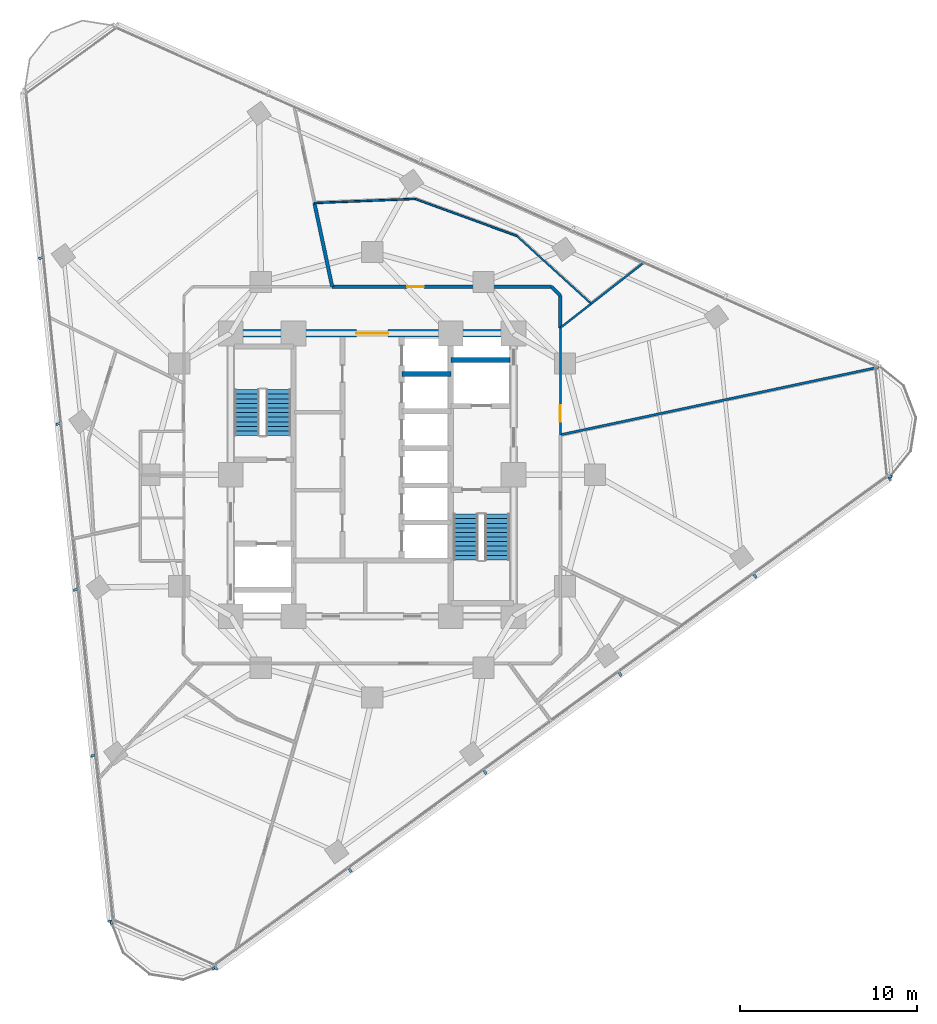
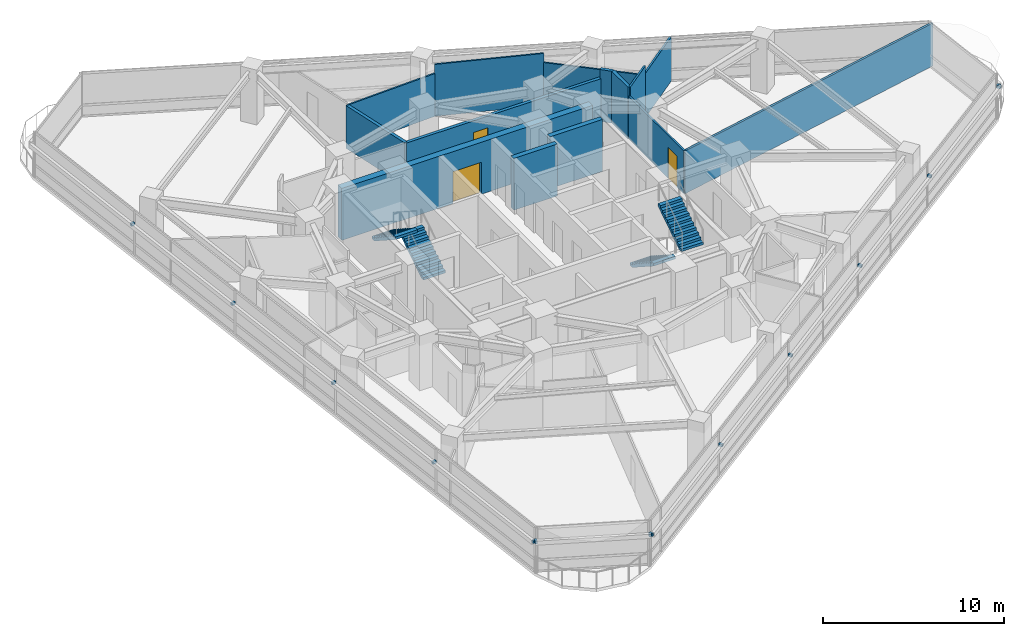
# One storey, part 10 of 14: 14 discrete accessories, 14 walls, 4 stair flights, 3 doors, 3 openings, 2 elements without a shape of their own.
"""IFC4 building model written with IfcOpenShell, lengths in metres."""

from ifc_helpers import new_model, si_unit, direction, frame, frame_2d, origin, origin_2d, place, context, subcontext, project, spatial, polyline, rectangle, outline, extrude, material, layer, layer_set, type_object, element, fill, aggregate, save


model = new_model("IFC4")

# Units and contexts
model_context = context("Model", 3, precision=1e-05, world=origin(), true_north=direction((0.0, 1.0)))
body_context = subcontext(model_context, "Body", "Model", "MODEL_VIEW")
ifc_project = project(units=[si_unit("LENGTHUNIT", "METRE"), si_unit("AREAUNIT", "SQUARE_METRE"), si_unit("VOLUMEUNIT", "CUBIC_METRE"), si_unit("PLANEANGLEUNIT", "RADIAN"), si_unit("MASSUNIT", "GRAM", prefix="KILO")], contexts=[model_context])

# Site, building, storey
site_placement = place(None, origin())
site = spatial("IfcSite", under=ifc_project, at=site_placement, CompositionType="ELEMENT")
building_placement = place(site_placement, origin())
building = spatial("IfcBuilding", under=site, at=building_placement, Name="Terralouvre Media Tower", CompositionType="ELEMENT")
storey_placement = place(building_placement, frame((0.0, 0.0, 165.699951171875)))
storey = spatial("IfcBuildingStorey", under=building, at=storey_placement, Name="L42", CompositionType="ELEMENT", Elevation=165.699951171875)

# Walls
ifc_material_1 = material(Name="Concrete C50/60", Category="concrete")
ifc_layer_1 = layer(ifc_material_1, 0.300048828125, Name="Core Internal Shaft Wall CW-300")
ifc_layer_set_1 = layer_set([ifc_layer_1], Name="Concrete C50/60")
wall_type_1 = type_object("IfcWallType", Name="Core Internal Shaft Wall CW-300", PredefinedType="SHEAR", material=ifc_layer_set_1)
wall_1_placement = place(storey_placement, frame((4.449951171875, 6.5, 0.0), z_axis=(0.0, 0.0, 1.0), x_axis=(1.0, 0.0, 0.0)))
element("IfcWall", 1, at=wall_1_placement, inside=storey, type_object=wall_type_1, Name="L42 Core Shaft Wall FF2N", PredefinedType="SHEAR", context=body_context, shape_type="SweptSolid", body=[
    extrude(rectangle(XDim=3.340087890625, YDim=0.300048828125, at=frame_2d((1.669921875, 0.0))), origin(), (0.0, 0.0, 1.0), 3.5),
])
wall_2_placement = place(storey_placement, frame((1.679931640625, 5.699951171875, 0.0), z_axis=(0.0, 0.0, 1.0), x_axis=(1.0, 0.0, 0.0)))
element("IfcWall", 2, at=wall_2_placement, inside=storey, type_object=wall_type_1, Name="L42 Core Shaft Wall PLMD2", PredefinedType="SHEAR", context=body_context, shape_type="SweptSolid", body=[
    extrude(rectangle(XDim=2.77001953125, YDim=0.300048828125, at=frame_2d((1.385009765625, 0.0))), origin(), (0.0, 0.0, 1.0), 3.5),
])

# Wall, opening, door
ifc_material_2 = material(Name="Concrete C60/75", Category="concrete")
ifc_layer_2 = layer(ifc_material_2, 0.419921875, Name="Core Reinforced Concrete Shear Wall CW-420")
ifc_layer_set_2 = layer_set([ifc_layer_2], Name="Concrete C60/75")
wall_type_2 = type_object("IfcWallType", Name="Core Reinforced Concrete Shear Wall CW-420", PredefinedType="SHEAR", material=ifc_layer_set_2)
wall_3_placement = place(storey_placement, frame((-8.0, 8.0, 0.0), z_axis=(0.0, 0.0, 1.0), x_axis=(1.0, 0.0, 0.0)))
wall_3 = element("IfcWall", 3, at=wall_3_placement, inside=storey, type_object=wall_type_2, Name="L42 N Core Shear Wall", PredefinedType="SHEAR", context=body_context, shape_type="SweptSolid", body=[
    extrude(rectangle(XDim=16.0, YDim=0.419921875, at=frame_2d((8.0, 0.0))), origin(), (0.0, 0.0, 1.0), 3.5),
])
opening_1_placement = place(wall_3_placement, frame((7.10009765625, 0.0, 0.0)))
opening_1 = element("IfcOpeningElement", 4, at=opening_1_placement, cuts=wall_3, Name="Opening FD-03", PredefinedType="OPENING", context=body_context, shape_type="SweptSolid", body=[
    extrude(rectangle(XDim=1.800048828125, YDim=2.14990234375, at=frame_2d((0.89990234375, 1.074951171875))), frame((0.0, 0.219970703125, 0.0), z_axis=(0.0, -1.0, 0.0), x_axis=(1.0, 0.0, 0.0)), (0.0, 0.0, 1.0), 0.43994140625),
])
ifc_material_3 = material(Name="Galvanised steel fire-resisting leaf", Category="steel")
door_type_1 = type_object("IfcDoorType", Name="Corridor Smoke-Control Double Door FD-03", OperationType="DOUBLE_DOOR_SINGLE_SWING", PredefinedType="DOOR", material=ifc_material_3)
door_1_placement = place(opening_1_placement, origin())
door_1 = element("IfcDoor", 5, at=door_1_placement, inside=storey, type_object=door_type_1, Name="L42 Central Lift Lobby Portal Door", OperationType="DOUBLE_DOOR_SINGLE_SWING", OverallHeight=2.14990234375, OverallWidth=1.800048828125, PredefinedType="DOOR", context=body_context, shape_type="SweptSolid", body=[
    extrude(rectangle(XDim=1.800048828125, YDim=2.14990234375, at=frame_2d((0.89990234375, 1.074951171875))), frame((0.0, 0.02490234375, 0.0), z_axis=(0.0, -1.0, 0.0), x_axis=(1.0, 0.0, 0.0)), (0.0, 0.0, 1.0), 0.050048828125),
])
fill(opening_1, door_1)

# Walls
ifc_material_4 = material(Name="Low-iron laminated double glazing with solar-control coating", Category="glass")
ifc_layer_3 = layer(ifc_material_4, 0.10009765625, Name="Demountable Glazed Office Partition PT-GL100")
ifc_layer_set_3 = layer_set([ifc_layer_3], Name="Low-iron laminated double glazing with solar-control coating")
wall_type_3 = type_object("IfcWallType", Name="Demountable Glazed Office Partition PT-GL100", PredefinedType="MOVABLE", material=ifc_layer_set_3)
wall_4_placement = place(storey_placement, frame((-3.26904296875, 15.381103515625, 0.0), z_axis=(0.0, 0.0, 1.0), x_axis=(0.999171753478, 0.040691609114, 0.0)))
element("IfcWall", 6, at=wall_4_placement, inside=storey, type_object=wall_type_3, Name="L42 Interior Partition 044", PredefinedType="MOVABLE", context=body_context, shape_type="SweptSolid", body=[
    extrude(rectangle(XDim=5.69970703125, YDim=0.10009765625, at=frame_2d((2.849853515625, 0.0))), origin(), (0.0, 0.0, 1.0), 2.885009765625),
])
wall_5_placement = place(storey_placement, frame((2.426025390625, 15.613037109375, 0.0), z_axis=(0.0, 0.0, 1.0), x_axis=(0.939701375228, -0.341996089736, 0.0)))
element("IfcWall", 7, at=wall_5_placement, inside=storey, type_object=wall_type_3, Name="L42 Interior Partition 045", PredefinedType="MOVABLE", context=body_context, shape_type="SweptSolid", body=[
    extrude(rectangle(XDim=6.1201171875, YDim=0.10009765625, at=frame_2d((3.06005859375, 0.0))), origin(), (0.0, 0.0, 1.0), 3.5),
])
wall_6_placement = place(storey_placement, frame((8.177001953125, 13.52001953125, 0.0), z_axis=(0.0, 0.0, 1.0), x_axis=(0.739232344885, -0.673450473514, 0.0)))
element("IfcWall", 8, at=wall_6_placement, inside=storey, type_object=wall_type_3, Name="L42 Interior Partition 046", PredefinedType="MOVABLE", context=body_context, shape_type="SweptSolid", body=[
    extrude(rectangle(XDim=5.70068359375, YDim=0.10009765625, at=frame_2d((2.850341796875, 0.0))), origin(), (0.0, 0.0, 1.0), 2.885009765625),
])
ifc_material_5 = material(Name="Fire-rated gypsum board drywall partition")
ifc_layer_4 = layer(ifc_material_5, 0.199951171875, Name="Fire-Rated Shaft and Lobby Partition FW-200")
ifc_layer_set_4 = layer_set([ifc_layer_4], Name="Fire-rated gypsum board drywall partition")
wall_type_4 = type_object("IfcWallType", Name="Fire-Rated Shaft and Lobby Partition FW-200", PredefinedType="SOLIDWALL", material=ifc_layer_set_4)
wall_7_placement = place(storey_placement, frame((10.64990234375, 8.321044921875, 0.0), z_axis=(0.0, 0.0, 1.0), x_axis=(0.0, 1.0, 0.0)))
element("IfcWall", 9, at=wall_7_placement, inside=storey, type_object=wall_type_4, Name="L42 Interior Partition 013", PredefinedType="SOLIDWALL", context=body_context, shape_type="SweptSolid", body=[
    extrude(rectangle(XDim=1.828857421875, YDim=0.199951171875, at=frame_2d((0.91455078125, 0.0))), origin(), (0.0, 0.0, 1.0), 3.5),
])
wall_8_placement = place(storey_placement, frame((10.64990234375, 10.14990234375, 0.0), z_axis=(0.0, 0.0, 1.0), x_axis=(-0.707106781187, 0.707106781187, 0.0)))
element("IfcWall", 10, at=wall_8_placement, inside=storey, type_object=wall_type_4, Name="L42 Interior Partition 014", PredefinedType="SOLIDWALL", context=body_context, shape_type="SweptSolid", body=[
    extrude(rectangle(XDim=0.70703125, YDim=0.199951171875, at=frame_2d((0.353515625, 0.0))), origin(), (0.0, 0.0, 1.0), 3.5),
])

# Wall, opening, door
wall_9_placement = place(storey_placement, frame((10.14990234375, 10.64990234375, 0.0), z_axis=(0.0, 0.0, 1.0), x_axis=(-1.0, 0.0, 0.0)))
wall_9 = element("IfcWall", 11, at=wall_9_placement, inside=storey, type_object=wall_type_4, Name="L42 Interior Partition 015", PredefinedType="SOLIDWALL", context=body_context, shape_type="SweptSolid", body=[
    extrude(rectangle(XDim=12.413818359375, YDim=0.199951171875, at=frame_2d((6.20703125, 0.0))), origin(), (0.0, 0.0, 1.0), 2.885009765625),
])
opening_2_placement = place(wall_9_placement, frame((7.2216796875, 0.0, 0.0)))
opening_2 = element("IfcOpeningElement", 12, at=opening_2_placement, cuts=wall_9, Name="Opening FD-02-95X210", PredefinedType="OPENING", context=body_context, shape_type="SweptSolid", body=[
    extrude(rectangle(XDim=0.949951171875, YDim=2.10009765625, at=frame_2d((0.47509765625, 1.050048828125))), frame((0.0, 0.10986328125, 0.0), z_axis=(0.0, -1.0, 0.0), x_axis=(1.0, 0.0, 0.0)), (0.0, 0.0, 1.0), 0.219970703125),
])
ifc_material_6 = material(Name="Galvanised steel fire-resisting leaf", Category="steel")
door_type_2 = type_object("IfcDoorType", Name="Plant and Riser Fire Door FD-02 (950x2100)", OperationType="NOTDEFINED", PredefinedType="DOOR", material=ifc_material_6)
door_2_placement = place(opening_2_placement, origin())
door_2 = element("IfcDoor", 13, at=door_2_placement, inside=storey, type_object=door_type_2, Name="L42 AV Teaching Rack Server Room 10 Door", OperationType="SINGLE_SWING_LEFT", OverallHeight=2.10009765625, OverallWidth=0.949951171875, PredefinedType="DOOR", context=body_context, shape_type="SweptSolid", body=[
    extrude(rectangle(XDim=0.949951171875, YDim=2.10009765625, at=frame_2d((0.47509765625, 1.050048828125))), frame((0.0, 0.02490234375, 0.0), z_axis=(0.0, -1.0, 0.0), x_axis=(1.0, 0.0, 0.0)), (0.0, 0.0, 1.0), 0.050048828125),
])
fill(opening_2, door_2)

# Walls
wall_10_placement = place(storey_placement, frame((-3.26904296875, 15.381103515625, 0.0), z_axis=(0.0, 0.0, 1.0), x_axis=(0.207808649559, -0.978169497157, 0.0)))
element("IfcWall", 14, at=wall_10_placement, inside=storey, type_object=wall_type_4, Name="L42 Interior Partition 048", PredefinedType="SOLIDWALL", context=body_context, shape_type="SweptSolid", body=[
    extrude(rectangle(XDim=4.836669921875, YDim=0.199951171875, at=frame_2d((2.41845703125, 0.0))), origin(), (0.0, 0.0, 1.0), 2.885009765625),
])
ifc_material_7 = material(Name="Fire-rated gypsum board drywall partition")
ifc_layer_5 = layer(ifc_material_7, 0.135009765625, Name="Newsroom Acoustic Partition PT-135")
ifc_layer_set_5 = layer_set([ifc_layer_5], Name="Fire-rated gypsum board drywall partition")
wall_type_5 = type_object("IfcWallType", Name="Newsroom Acoustic Partition PT-135", PredefinedType="PARTITIONING", material=ifc_layer_set_5)
wall_11_placement = place(storey_placement, frame((28.65087890625, 6.08984375, 0.0), z_axis=(0.0, 0.0, 1.0), x_axis=(-0.978150893197, -0.207896200392, 0.0)))
element("IfcWall", 15, at=wall_11_placement, inside=storey, type_object=wall_type_5, Name="L42 Interior Partition 041", PredefinedType="PARTITIONING", context=body_context, shape_type="SweptSolid", body=[
    extrude(rectangle(XDim=18.403076171875, YDim=0.135009765625, at=frame_2d((9.20166015625, 0.0))), origin(), (0.0, 0.0, 1.0), 2.885009765625),
])

# Wall, opening, door
ifc_material_8 = material(Name="Fire-rated gypsum board drywall partition")
ifc_layer_6 = layer(ifc_material_8, 0.114990234375, Name="Restroom and Pantry Partition PT-115")
ifc_layer_set_6 = layer_set([ifc_layer_6], Name="Fire-rated gypsum board drywall partition")
wall_type_6 = type_object("IfcWallType", Name="Restroom and Pantry Partition PT-115", PredefinedType="PARTITIONING", material=ifc_layer_set_6)
wall_12_placement = place(storey_placement, frame((10.64990234375, 2.263916015625, 0.0), z_axis=(0.0, 0.0, 1.0), x_axis=(0.0, 1.0, 0.0)))
wall_12 = element("IfcWall", 16, at=wall_12_placement, inside=storey, type_object=wall_type_6, Name="L42 Interior Partition 012", PredefinedType="PARTITIONING", context=body_context, shape_type="SweptSolid", body=[
    extrude(rectangle(XDim=6.05712890625, YDim=0.114990234375, at=frame_2d((3.028564453125, 0.0))), origin(), (0.0, 0.0, 1.0), 2.885009765625),
])
opening_3_placement = place(wall_12_placement, frame((0.736328125, 0.0, 0.0)))
opening_3 = element("IfcOpeningElement", 17, at=opening_3_placement, cuts=wall_12, Name="Opening SD-01-95X210", PredefinedType="OPENING", context=body_context, shape_type="SweptSolid", body=[
    extrude(rectangle(XDim=0.949951171875, YDim=2.10009765625, at=frame_2d((0.47509765625, 1.050048828125))), frame((0.0, 0.0673828125, 0.0), z_axis=(0.0, -1.0, 0.0), x_axis=(1.0, 0.0, 0.0)), (0.0, 0.0, 1.0), 0.135009765625),
])
ifc_material_9 = material(Name="Anodised extruded aluminium 6063-T6", Category="aluminium")
door_type_3 = type_object("IfcDoorType", Name="Pantry Pocket Sliding Door SD-01 (950x2100)", OperationType="SLIDING_TO_LEFT", PredefinedType="DOOR", material=ifc_material_9)
door_3_placement = place(opening_3_placement, origin())
door_3 = element("IfcDoor", 18, at=door_3_placement, inside=storey, type_object=door_type_3, Name="L42 Academy Refreshment Pantry 8 Door", OperationType="SLIDING_TO_LEFT", OverallHeight=2.10009765625, OverallWidth=0.949951171875, PredefinedType="DOOR", context=body_context, shape_type="SweptSolid", body=[
    extrude(rectangle(XDim=0.949951171875, YDim=2.10009765625, at=frame_2d((0.47509765625, 1.050048828125))), frame((0.0, 0.02490234375, 0.0), z_axis=(0.0, -1.0, 0.0), x_axis=(1.0, 0.0, 0.0)), (0.0, 0.0, 1.0), 0.050048828125),
])
fill(opening_3, door_3)

# Walls
wall_13_placement = place(storey_placement, frame((15.390869140625, 12.02490234375, 0.0), z_axis=(0.0, 0.0, 1.0), x_axis=(-0.787968951689, -0.615714975597, 0.0)))
element("IfcWall", 19, at=wall_13_placement, inside=storey, type_object=wall_type_6, Name="L42 Interior Partition 042", PredefinedType="PARTITIONING", context=body_context, shape_type="SweptSolid", body=[
    extrude(rectangle(XDim=3.806884765625, YDim=0.114990234375, at=frame_2d((1.9033203125, 0.0))), origin(), (0.0, 0.0, 1.0), 2.985107421875),
])
wall_14_placement = place(storey_placement, frame((12.39111328125, 9.680908203125, 0.0), z_axis=(0.0, 0.0, 1.0), x_axis=(-0.788124883644, -0.615515367624, 0.0)))
element("IfcWall", 20, at=wall_14_placement, inside=storey, type_object=wall_type_6, Name="L42 Interior Partition 043", PredefinedType="PARTITIONING", context=body_context, shape_type="SweptSolid", body=[
    extrude(rectangle(XDim=2.209228515625, YDim=0.114990234375, at=frame_2d((1.1044921875, 0.0))), origin(), (0.0, 0.0, 1.0), 3.5),
])

# Stair, stair flights
ifc_material_10 = material(Name="Concrete C45/55", Category="concrete")
stair_type_1 = type_object("IfcStairType", Name="Dogleg Stair Assembly ST-01", PredefinedType="HALF_TURN_STAIR", material=ifc_material_10)
stair_1_placement = place(storey_placement, origin())
stair_1 = element("IfcStair", 21, at=stair_1_placement, inside=storey, type_object=stair_type_1, Name="L42 Core Pressurised Exit Stair ST-01", PredefinedType="HALF_TURN_STAIR")
ifc_material_11 = material(Name="Concrete C45/55", Category="concrete")
stair_flight_type = type_object("IfcStairFlightType", Name="Reinforced Concrete Stair Flight SF-RC1", PredefinedType="STRAIGHT", material=ifc_material_11)
stair_flight_1_placement = place(storey_placement, frame((-5.300048828125, 2.219970703125, 0.0), z_axis=(0.0, 0.0, 1.0), x_axis=(0.0, 1.0, 0.0)))
stair_flight_1 = element("IfcStairFlight", 22, at=stair_flight_1_placement, type_object=stair_flight_type, Name="ST-01 flight 1", NumberOfRisers=11, NumberOfTreads=10, PredefinedType="STRAIGHT", RiserHeight=0.168181818, TreadLength=0.26, context=body_context, shape_type="SweptSolid", body=[
    extrude(outline(polyline([(0.0, 0.0), (0.0, 0.168212890625), (0.260009765625, 0.168212890625), (0.260009765625, 0.33642578125), (0.52001953125, 0.33642578125), (0.52001953125, 0.504638671875), (0.780029296875, 0.504638671875), (0.780029296875, 0.672607421875), (1.0400390625, 0.672607421875), (1.0400390625, 0.8408203125), (1.300048828125, 0.8408203125), (1.300048828125, 1.009033203125), (1.56005859375, 1.009033203125), (1.56005859375, 1.17724609375), (1.820068359375, 1.17724609375), (1.820068359375, 1.345458984375), (2.080078125, 1.345458984375), (2.080078125, 1.513671875), (2.340087890625, 1.513671875), (2.340087890625, 1.681884765625), (2.60009765625, 1.681884765625), (2.60009765625, 1.85009765625), (2.60009765625, 1.503173828125), (0.27587890625, 0.0), (0.0, 0.0)])), frame((0.0, 0.699951171875, 0.0), z_axis=(0.0, -1.0, 0.0), x_axis=(1.0, 0.0, 0.0)), (0.0, 0.0, 1.0), 1.39990234375),
])
stair_flight_2_placement = place(storey_placement, frame((-7.080078125, 4.820068359375, 1.85009765625), z_axis=(0.0, 0.0, 1.0), x_axis=(0.0, -1.0, 0.0)))
stair_flight_2 = element("IfcStairFlight", 23, at=stair_flight_2_placement, type_object=stair_flight_type, Name="ST-01 flight 2", NumberOfRisers=11, NumberOfTreads=10, PredefinedType="STRAIGHT", RiserHeight=0.168181818, TreadLength=0.26, context=body_context, shape_type="SweptSolid", body=[
    extrude(outline(polyline([(0.0, 0.0), (0.0, 0.168212890625), (0.260009765625, 0.168212890625), (0.260009765625, 0.33642578125), (0.52001953125, 0.33642578125), (0.52001953125, 0.504638671875), (0.780029296875, 0.504638671875), (0.780029296875, 0.672607421875), (1.0400390625, 0.672607421875), (1.0400390625, 0.8408203125), (1.300048828125, 0.8408203125), (1.300048828125, 1.009033203125), (1.56005859375, 1.009033203125), (1.56005859375, 1.17724609375), (1.820068359375, 1.17724609375), (1.820068359375, 1.345458984375), (2.080078125, 1.345458984375), (2.080078125, 1.513671875), (2.340087890625, 1.513671875), (2.340087890625, 1.681884765625), (2.60009765625, 1.681884765625), (2.60009765625, 1.85009765625), (2.60009765625, 1.503173828125), (0.27587890625, 0.0), (0.0, 0.0)])), frame((0.0, 0.699951171875, 0.0), z_axis=(0.0, -1.0, 0.0), x_axis=(1.0, 0.0, 0.0)), (0.0, 0.0, 1.0), 1.39990234375),
])
aggregate(stair_1, [stair_flight_1, stair_flight_2])

ifc_material_12 = material(Name="Concrete C45/55", Category="concrete")
stair_type_2 = type_object("IfcStairType", Name="Dogleg Stair Assembly ST-02", PredefinedType="HALF_TURN_STAIR", material=ifc_material_12)
stair_2_placement = place(storey_placement, origin())
stair_2 = element("IfcStair", 24, at=stair_2_placement, inside=storey, type_object=stair_type_2, Name="L42 Core Pressurised Exit Stair ST-02", PredefinedType="HALF_TURN_STAIR")
stair_flight_3_placement = place(storey_placement, frame((5.300048828125, -2.219970703125, 0.0), z_axis=(0.0, 0.0, 1.0), x_axis=(0.0, -1.0, 0.0)))
stair_flight_3 = element("IfcStairFlight", 25, at=stair_flight_3_placement, type_object=stair_flight_type, Name="ST-02 flight 1", NumberOfRisers=11, NumberOfTreads=10, PredefinedType="STRAIGHT", RiserHeight=0.168181818, TreadLength=0.26, context=body_context, shape_type="SweptSolid", body=[
    extrude(outline(polyline([(0.0, 0.0), (0.0, 0.168212890625), (0.260009765625, 0.168212890625), (0.260009765625, 0.33642578125), (0.52001953125, 0.33642578125), (0.52001953125, 0.504638671875), (0.780029296875, 0.504638671875), (0.780029296875, 0.672607421875), (1.0400390625, 0.672607421875), (1.0400390625, 0.8408203125), (1.300048828125, 0.8408203125), (1.300048828125, 1.009033203125), (1.56005859375, 1.009033203125), (1.56005859375, 1.17724609375), (1.820068359375, 1.17724609375), (1.820068359375, 1.345458984375), (2.080078125, 1.345458984375), (2.080078125, 1.513671875), (2.340087890625, 1.513671875), (2.340087890625, 1.681884765625), (2.60009765625, 1.681884765625), (2.60009765625, 1.85009765625), (2.60009765625, 1.503173828125), (0.27587890625, 0.0), (0.0, 0.0)])), frame((0.0, 0.699951171875, 0.0), z_axis=(0.0, -1.0, 0.0), x_axis=(1.0, 0.0, 0.0)), (0.0, 0.0, 1.0), 1.39990234375),
])
stair_flight_4_placement = place(storey_placement, frame((7.080078125, -4.820068359375, 1.85009765625), z_axis=(0.0, 0.0, 1.0), x_axis=(0.0, 1.0, 0.0)))
stair_flight_4 = element("IfcStairFlight", 26, at=stair_flight_4_placement, type_object=stair_flight_type, Name="ST-02 flight 2", NumberOfRisers=11, NumberOfTreads=10, PredefinedType="STRAIGHT", RiserHeight=0.168181818, TreadLength=0.26, context=body_context, shape_type="SweptSolid", body=[
    extrude(outline(polyline([(0.0, 0.0), (0.0, 0.168212890625), (0.260009765625, 0.168212890625), (0.260009765625, 0.33642578125), (0.52001953125, 0.33642578125), (0.52001953125, 0.504638671875), (0.780029296875, 0.504638671875), (0.780029296875, 0.672607421875), (1.0400390625, 0.672607421875), (1.0400390625, 0.8408203125), (1.300048828125, 0.8408203125), (1.300048828125, 1.009033203125), (1.56005859375, 1.009033203125), (1.56005859375, 1.17724609375), (1.820068359375, 1.17724609375), (1.820068359375, 1.345458984375), (2.080078125, 1.345458984375), (2.080078125, 1.513671875), (2.340087890625, 1.513671875), (2.340087890625, 1.681884765625), (2.60009765625, 1.681884765625), (2.60009765625, 1.85009765625), (2.60009765625, 1.503173828125), (0.27587890625, 0.0), (0.0, 0.0)])), frame((0.0, 0.699951171875, 0.0), z_axis=(0.0, -1.0, 0.0), x_axis=(1.0, 0.0, 0.0)), (0.0, 0.0, 1.0), 1.39990234375),
])
aggregate(stair_2, [stair_flight_3, stair_flight_4])

# Discrete accessories
ifc_material_13 = material(Name="Anodised extruded aluminium 6063-T6", Category="aluminium")
discrete_accessory_type = type_object("IfcDiscreteAccessoryType", Name="Mullion Stand-Off Baguette Fixing Bracket BK-01", PredefinedType="BRACKET", material=ifc_material_13)
for number, where, z_axis, x_axis, name in (
    (27, (-8.855224609375, -27.898681640625, 2.07421875), (0.0, 0.0, 1.0), (0.809016917383, 0.587785358263, 0.0), "CW-L42-F0 Baguette Outrigger Bracket 1.01"),
    (28, (-1.24853515625, -22.3720703125, 2.07421875), (0.0, 0.0, 1.0), (0.809016917383, 0.587785358263, 0.0), "CW-L42-F0 Baguette Outrigger Bracket 1.02"),
    (29, (6.388671875, -16.8232421875, 2.07421875), (0.0, 0.0, 1.0), (0.809016917383, 0.587785358263, 0.0), "CW-L42-F0 Baguette Outrigger Bracket 1.03"),
    (30, (14.025634765625, -11.274658203125, 2.07421875), (0.0, 0.0, 1.0), (0.809016917383, 0.587785358263, 0.0), "CW-L42-F0 Baguette Outrigger Bracket 1.04"),
    (31, (21.662841796875, -5.725830078125, 2.07421875), (0.0, 0.0, 1.0), (0.809016917383, 0.587785358263, 0.0), "CW-L42-F0 Baguette Outrigger Bracket 1.05"),
    (32, (29.26953125, -0.19921875, 2.07421875), (0.0, 0.0, 1.0), (0.809016917383, 0.587785358263, 0.0), "CW-L42-F0 Baguette Outrigger Bracket 1.06"),
    (33, (-18.75048828125, 12.267333984375, 2.07421875), (0.0, 0.0, 1.0), (0.104528376236, -0.994521904516, 0.0), "CW-L42-F2 Baguette Outrigger Bracket 1.02"),
    (34, (-17.763671875, 2.87890625, 2.07421875), (0.0, 0.0, 1.0), (0.104528376236, -0.994521904516, 0.0), "CW-L42-F2 Baguette Outrigger Bracket 1.03"),
    (35, (-16.77685546875, -6.50927734375, 2.07421875), (0.0, 0.0, 1.0), (0.104528376236, -0.994521904516, 0.0), "CW-L42-F2 Baguette Outrigger Bracket 1.04"),
    (36, (-15.790283203125, -15.897705078125, 2.07421875), (0.0, 0.0, 1.0), (0.104528376236, -0.994521904516, 0.0), "CW-L42-F2 Baguette Outrigger Bracket 1.05"),
    (37, (-14.807373046875, -25.24853515625, 2.07421875), (0.0, 0.0, 1.0), (0.104528376236, -0.994521904516, 0.0), "CW-L42-F2 Baguette Outrigger Bracket 1.06"),
    (38, (-14.737548828125, -25.315185546875, 2.07421875), (0.0, 0.0, 1.0), (0.913545408199, -0.406736754128, 0.0), "CW-L42-C0 Baguette Outrigger Bracket 1.01"),
    (39, (-8.95166015625, -27.891357421875, 2.07421875), (0.0, 0.0, 1.0), (0.913545408199, -0.406736754128, 0.0), "CW-L42-C0 Baguette Outrigger Bracket 1.02"),
    (40, (29.29248046875, -0.10546875, 2.07421875), (0.0, 0.0, 1.0), (-0.10452850319, 0.994521891172, 0.0), "CW-L42-C1 Baguette Outrigger Bracket 1.01"),
):
    element("IfcDiscreteAccessory", number, at=place(storey_placement, frame(where, z_axis=z_axis, x_axis=x_axis)), inside=storey, type_object=discrete_accessory_type, Name=name, PredefinedType="BRACKET", context=body_context, shape_type="SweptSolid", body=[
        extrude(rectangle(XDim=0.139892578125, YDim=0.239990234375, at=origin_2d()), origin(), (0.0, 0.0, 1.0), 0.179931640625),
    ])

save(model, "model.ifc")
